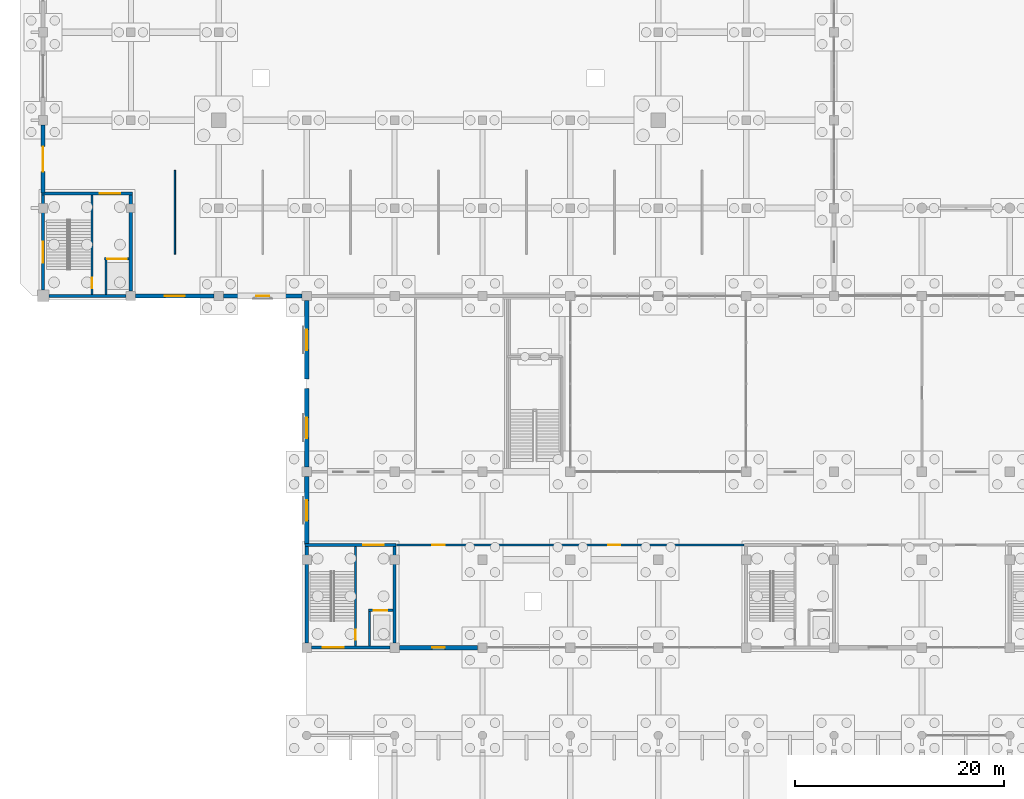
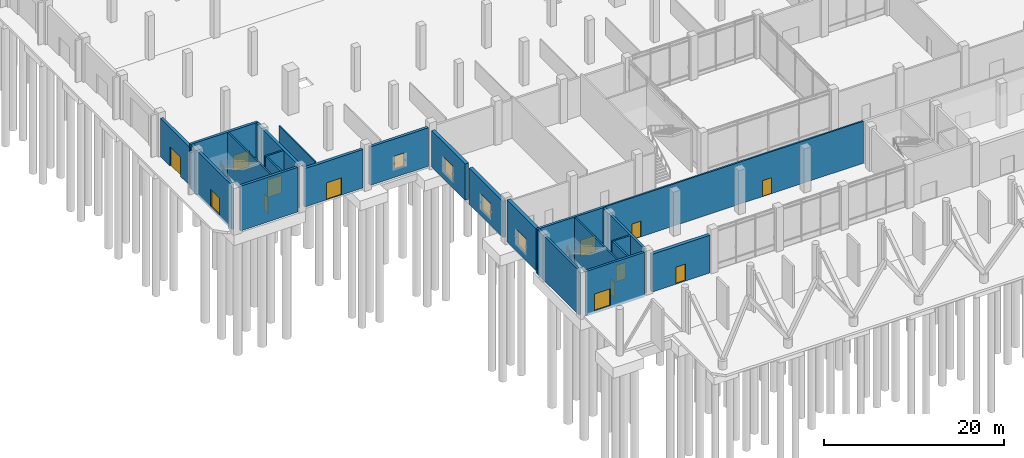
# One storey, part 51 of 72: 23 walls, 13 doors, 4 windows, 17 openings.
"""IFC4 building model written with IfcOpenShell, lengths in metres."""

from ifc_helpers import new_model, si_unit, direction, frame, frame_2d, origin, place, context, subcontext, project, spatial, rectangle, extrude, material, layer, layer_set, type_object, element, fill, save


model = new_model("IFC4")

# Units and contexts
model_context = context("Model", 3, precision=1e-05, world=origin(), true_north=direction((0.0, 1.0)))
body_context = subcontext(model_context, "Body", "Model", "MODEL_VIEW")
ifc_project = project(units=[si_unit("LENGTHUNIT", "METRE"), si_unit("AREAUNIT", "SQUARE_METRE"), si_unit("VOLUMEUNIT", "CUBIC_METRE"), si_unit("PLANEANGLEUNIT", "RADIAN"), si_unit("MASSUNIT", "GRAM", prefix="KILO")], contexts=[model_context])

# Site, building, storey
site_placement = place(None, origin())
site = spatial("IfcSite", under=ifc_project, at=site_placement, CompositionType="ELEMENT")
building_placement = place(site_placement, origin())
building = spatial("IfcBuilding", under=site, at=building_placement, Name="Qawsi Khor Wholesale Market", CompositionType="ELEMENT")
storey_placement = place(building_placement, origin())
storey = spatial("IfcBuildingStorey", under=building, at=storey_placement, Name="L00", CompositionType="ELEMENT", Elevation=0.0)

# Wall, opening, door
ifc_material_1 = material(Name="Concrete C40/50", Category="concrete")
ifc_layer_1 = layer(ifc_material_1, 0.300048828125, Name="Concrete C40/50")
ifc_layer_set_1 = layer_set([ifc_layer_1], Name="Concrete C40/50")
wall_type_1 = type_object("IfcWallType", Name="Core Shear Wall RC 300 C40/50", PredefinedType="SHEAR", material=ifc_layer_set_1)
wall_1_placement = place(storey_placement, frame((33.14501953125, 8.39990234375, -0.360107421875), z_axis=(0.0, 0.0, 1.0), x_axis=(-1.0, 0.0, 0.0)))
wall_1 = element("IfcWall", 1, at=wall_1_placement, inside=storey, type_object=wall_type_1, Name="Core C01 south shear wall L00", PredefinedType="SHEAR", context=body_context, shape_type="SweptSolid", body=[
    extrude(rectangle(XDim=7.489990234375, YDim=0.300048828125, at=frame_2d((3.7451171875, 0.0))), origin(), (0.0, 0.0, 1.0), 6.080078125),
])
opening_1_placement = place(wall_1_placement, frame((4.39501953125, 0.0, 0.360107421875)))
opening_1 = element("IfcOpeningElement", 2, at=opening_1_placement, cuts=wall_1, Name="Opening ED-06", PredefinedType="OPENING", context=body_context, shape_type="SweptSolid", body=[
    extrude(rectangle(XDim=2.0, YDim=2.280029296875, at=frame_2d((1.0, 1.14013671875))), frame((0.0, 0.159912109375, 0.0), z_axis=(0.0, -1.0, 0.0), x_axis=(1.0, 0.0, 0.0)), (0.0, 0.0, 1.0), 0.320068359375),
])
ifc_material_2 = material(Name="Powder-Coated Galvanised Steel & Glazing", Category="steel")
door_type_1 = type_object("IfcDoorType", Name="Final Exit Stair Discharge Door 2000x2280 FD120S", OperationType="NOTDEFINED", PredefinedType="DOOR", material=ifc_material_2)
door_1_placement = place(opening_1_placement, origin())
door_1 = element("IfcDoor", 3, at=door_1_placement, inside=storey, type_object=door_type_1, Name="Final exit stair discharge door ST-01", OperationType="DOUBLE_DOOR_SINGLE_SWING", OverallHeight=2.280029296875, OverallWidth=2.0, PredefinedType="DOOR", context=body_context, shape_type="SweptSolid", body=[
    extrude(rectangle(XDim=2.0, YDim=2.280029296875, at=frame_2d((1.0, 1.14013671875))), frame((0.0, 0.02490234375, 0.0), z_axis=(0.0, -1.0, 0.0), x_axis=(1.0, 0.0, 0.0)), (0.0, 0.0, 1.0), 0.050048828125),
])
fill(opening_1, door_1)

# Wall
wall_2_placement = place(storey_placement, frame((25.199951171875, 8.85498046875, -0.360107421875), z_axis=(0.0, 0.0, 1.0), x_axis=(0.0, 1.0, 0.0)))
element("IfcWall", 4, at=wall_2_placement, inside=storey, type_object=wall_type_1, Name="Core C01 west shear wall L00", PredefinedType="SHEAR", context=body_context, shape_type="SweptSolid", body=[
    extrude(rectangle(XDim=9.195068359375, YDim=0.300048828125, at=frame_2d((4.59765625, 0.0))), origin(), (0.0, 0.0, 1.0), 6.080078125),
])

# Wall, opening, door
wall_3_placement = place(storey_placement, frame((25.050048828125, 18.199951171875, -0.360107421875), z_axis=(0.0, 0.0, 1.0), x_axis=(1.0, 0.0, 0.0)))
wall_3 = element("IfcWall", 5, at=wall_3_placement, inside=storey, type_object=wall_type_1, Name="Core C01 north shear wall L00", PredefinedType="SHEAR", context=body_context, shape_type="SweptSolid", body=[
    extrude(rectangle(XDim=8.699951171875, YDim=0.300048828125, at=frame_2d((4.35009765625, 0.0))), origin(), (0.0, 0.0, 1.0), 6.080078125),
])
opening_2_placement = place(wall_3_placement, frame((5.570068359375, 0.0, 0.360107421875)))
opening_2 = element("IfcOpeningElement", 6, at=opening_2_placement, cuts=wall_3, Name="Opening ID-01", PredefinedType="OPENING", context=body_context, shape_type="SweptSolid", body=[
    extrude(rectangle(XDim=1.9599609375, YDim=2.199951171875, at=frame_2d((0.97998046875, 1.10009765625))), frame((0.0, 0.159912109375, 0.0), z_axis=(0.0, -1.0, 0.0), x_axis=(1.0, 0.0, 0.0)), (0.0, 0.0, 1.0), 0.320068359375),
])
ifc_material_3 = material(Name="Steel Fire Door", Category="steel")
door_type_2 = type_object("IfcDoorType", Name="Stair & Core Fire Door 1960x2200 FD90S", OperationType="NOTDEFINED", PredefinedType="DOOR", material=ifc_material_3)
door_2_placement = place(opening_2_placement, origin())
door_2 = element("IfcDoor", 7, at=door_2_placement, inside=storey, type_object=door_type_2, Name="Core C01 fire door L00", OperationType="DOUBLE_DOOR_SINGLE_SWING", OverallHeight=2.199951171875, OverallWidth=1.9599609375, PredefinedType="DOOR", context=body_context, shape_type="SweptSolid", body=[
    extrude(rectangle(XDim=1.9599609375, YDim=2.199951171875, at=frame_2d((0.97998046875, 1.10009765625))), frame((0.0, 0.02490234375, 0.0), z_axis=(0.0, -1.0, 0.0), x_axis=(1.0, 0.0, 0.0)), (0.0, 0.0, 1.0), 0.050048828125),
])
fill(opening_2, door_2)

# Wall
wall_4_placement = place(storey_placement, frame((33.60009765625, 18.050048828125, -0.360107421875), z_axis=(0.0, 0.0, 1.0), x_axis=(0.0, -1.0, 0.0)))
element("IfcWall", 8, at=wall_4_placement, inside=storey, type_object=wall_type_1, Name="Core C01 east shear wall L00", PredefinedType="SHEAR", context=body_context, shape_type="SweptSolid", body=[
    extrude(rectangle(XDim=9.195068359375, YDim=0.300048828125, at=frame_2d((4.59765625, 0.0))), origin(), (0.0, 0.0, 1.0), 6.080078125),
])

# Wall, openings, doors
ifc_material_4 = material(Name="Gypsum Fireboard on Steel Stud", Category="steel")
ifc_layer_2 = layer(ifc_material_4, 0.2099609375, Name="Gypsum Fireboard on Steel Stud")
ifc_layer_set_2 = layer_set([ifc_layer_2], Name="Gypsum Fireboard on Steel Stud")
wall_type_2 = type_object("IfcWallType", Name="Corridor Fire Partition Wall 210", PredefinedType="PARTITIONING", material=ifc_layer_set_2)
wall_5_placement = place(storey_placement, frame((33.800048828125, 18.199951171875, 0.0), z_axis=(0.0, 0.0, 1.0), x_axis=(1.0, 0.0, 0.0)))
wall_5 = element("IfcWall", 9, at=wall_5_placement, inside=storey, type_object=wall_type_2, Name="PW-L00-029", PredefinedType="PARTITIONING", context=body_context, shape_type="SweptSolid", body=[
    extrude(rectangle(XDim=33.199951171875, YDim=0.2099609375, at=frame_2d((16.60009765625, 0.0))), origin(), (0.0, 0.0, 1.0), 5.719970703125),
])
opening_3_placement = place(wall_5_placement, frame((3.409912109375, 0.0, 0.0)))
opening_3 = element("IfcOpeningElement", 10, at=opening_3_placement, cuts=wall_5, Name="Opening ID-15", PredefinedType="OPENING", context=body_context, shape_type="SweptSolid", body=[
    extrude(rectangle(XDim=1.179931640625, YDim=2.159912109375, at=frame_2d((0.58984375, 1.080078125))), frame((0.0, 0.114990234375, 0.0), z_axis=(0.0, -1.0, 0.0), x_axis=(1.0, 0.0, 0.0)), (0.0, 0.0, 1.0), 0.22998046875),
])
opening_4_placement = place(wall_5_placement, frame((20.2099609375, 0.0, 0.0)))
opening_4 = element("IfcOpeningElement", 11, at=opening_4_placement, cuts=wall_5, Name="Opening ID-15", PredefinedType="OPENING", context=body_context, shape_type="SweptSolid", body=[
    extrude(rectangle(XDim=1.179931640625, YDim=2.159912109375, at=frame_2d((0.58984375, 1.080078125))), frame((0.0, 0.114990234375, 0.0), z_axis=(0.0, -1.0, 0.0), x_axis=(1.0, 0.0, 0.0)), (0.0, 0.0, 1.0), 0.22998046875),
])
ifc_material_5 = material(Name="Glazed Anodised Aluminium", Category="aluminium")
door_type_3 = type_object("IfcDoorType", Name="Market Shop Internal Door 1180x2160", OperationType="NOTDEFINED", PredefinedType="DOOR", material=ifc_material_5)
door_3_placement = place(opening_3_placement, origin())
door_3 = element("IfcDoor", 12, at=door_3_placement, inside=storey, type_object=door_type_3, Name="Market Shop Internal Door 1180x2160 L00-024", OperationType="SINGLE_SWING_LEFT", OverallHeight=2.159912109375, OverallWidth=1.179931640625, PredefinedType="DOOR", context=body_context, shape_type="SweptSolid", body=[
    extrude(rectangle(XDim=1.179931640625, YDim=2.159912109375, at=frame_2d((0.58984375, 1.080078125))), frame((0.0, 0.02490234375, 0.0), z_axis=(0.0, -1.0, 0.0), x_axis=(1.0, 0.0, 0.0)), (0.0, 0.0, 1.0), 0.050048828125),
])
fill(opening_3, door_3)
door_4_placement = place(opening_4_placement, origin())
door_4 = element("IfcDoor", 13, at=door_4_placement, inside=storey, type_object=door_type_3, Name="Market Shop Internal Door 1180x2160 L00-025", OperationType="SINGLE_SWING_RIGHT", OverallHeight=2.159912109375, OverallWidth=1.179931640625, PredefinedType="DOOR", context=body_context, shape_type="SweptSolid", body=[
    extrude(rectangle(XDim=1.179931640625, YDim=2.159912109375, at=frame_2d((0.58984375, 1.080078125))), frame((0.0, 0.02490234375, 0.0), z_axis=(0.0, -1.0, 0.0), x_axis=(1.0, 0.0, 0.0)), (0.0, 0.0, 1.0), 0.050048828125),
])
fill(opening_4, door_4)

# Wall
ifc_layer_3 = layer(ifc_material_1, 0.320068359375, Name="Concrete C40/50")
ifc_layer_set_3 = layer_set([ifc_layer_3], Name="Concrete C40/50")
wall_type_3 = type_object("IfcWallType", Name="Hall Lateral Shear Wall RC 320 C40/50", PredefinedType="SHEAR", material=ifc_layer_set_3)
wall_6_placement = place(storey_placement, frame((7.945068359375, 42.0, -0.360107421875), z_axis=(0.0, 0.0, 1.0), x_axis=(-1.0, 0.0, 0.0)))
element("IfcWall", 14, at=wall_6_placement, inside=storey, type_object=wall_type_3, Name="Core C07 south shear wall L00", PredefinedType="SHEAR", context=body_context, shape_type="SweptSolid", body=[
    extrude(rectangle(XDim=7.39013671875, YDim=0.320068359375, at=frame_2d((3.695068359375, 0.0))), origin(), (0.0, 0.0, 1.0), 6.080078125),
])

# Wall, opening, door
wall_7_placement = place(storey_placement, frame((0.0, 42.554931640625, -0.360107421875), z_axis=(0.0, 0.0, 1.0), x_axis=(0.0, 1.0, 0.0)))
wall_7 = element("IfcWall", 15, at=wall_7_placement, inside=storey, type_object=wall_type_3, Name="Core C07 west shear wall L00", PredefinedType="SHEAR", context=body_context, shape_type="SweptSolid", body=[
    extrude(rectangle(XDim=9.0849609375, YDim=0.320068359375, at=frame_2d((4.54248046875, 0.0))), origin(), (0.0, 0.0, 1.0), 6.080078125),
])
opening_5_placement = place(wall_7_placement, frame((2.64501953125, 0.0, 0.360107421875)))
opening_5 = element("IfcOpeningElement", 16, at=opening_5_placement, cuts=wall_7, Name="Opening ED-06", PredefinedType="OPENING", context=body_context, shape_type="SweptSolid", body=[
    extrude(rectangle(XDim=2.0, YDim=2.280029296875, at=frame_2d((1.0, 1.14013671875))), frame((0.0, 0.169921875, 0.0), z_axis=(0.0, -1.0, 0.0), x_axis=(1.0, 0.0, 0.0)), (0.0, 0.0, 1.0), 0.340087890625),
])
door_5_placement = place(opening_5_placement, origin())
door_5 = element("IfcDoor", 17, at=door_5_placement, inside=storey, type_object=door_type_1, Name="Final exit stair discharge door ST-07", OperationType="DOUBLE_DOOR_SINGLE_SWING", OverallHeight=2.280029296875, OverallWidth=2.0, PredefinedType="DOOR", context=body_context, shape_type="SweptSolid", body=[
    extrude(rectangle(XDim=2.0, YDim=2.280029296875, at=frame_2d((1.0, 1.14013671875))), frame((0.0, 0.02490234375, 0.0), z_axis=(0.0, -1.0, 0.0), x_axis=(1.0, 0.0, 0.0)), (0.0, 0.0, 1.0), 0.050048828125),
])
fill(opening_5, door_5)

wall_8_placement = place(storey_placement, frame((-0.159912109375, 51.800048828125, -0.360107421875), z_axis=(0.0, 0.0, 1.0), x_axis=(1.0, 0.0, 0.0)))
wall_8 = element("IfcWall", 18, at=wall_8_placement, inside=storey, type_object=wall_type_3, Name="Core C07 north shear wall L00", PredefinedType="SHEAR", context=body_context, shape_type="SweptSolid", body=[
    extrude(rectangle(XDim=8.719970703125, YDim=0.320068359375, at=frame_2d((4.35986328125, 0.0))), origin(), (0.0, 0.0, 1.0), 6.080078125),
])
opening_6_placement = place(wall_8_placement, frame((5.580078125, 0.0, 0.360107421875)))
opening_6 = element("IfcOpeningElement", 19, at=opening_6_placement, cuts=wall_8, Name="Opening ID-01", PredefinedType="OPENING", context=body_context, shape_type="SweptSolid", body=[
    extrude(rectangle(XDim=1.9599609375, YDim=2.199951171875, at=frame_2d((0.97998046875, 1.10009765625))), frame((0.0, 0.169921875, 0.0), z_axis=(0.0, -1.0, 0.0), x_axis=(1.0, 0.0, 0.0)), (0.0, 0.0, 1.0), 0.340087890625),
])
door_6_placement = place(opening_6_placement, origin())
door_6 = element("IfcDoor", 20, at=door_6_placement, inside=storey, type_object=door_type_2, Name="Core C07 fire door L00", OperationType="DOUBLE_DOOR_SINGLE_SWING", OverallHeight=2.199951171875, OverallWidth=1.9599609375, PredefinedType="DOOR", context=body_context, shape_type="SweptSolid", body=[
    extrude(rectangle(XDim=1.9599609375, YDim=2.199951171875, at=frame_2d((0.97998046875, 1.10009765625))), frame((0.0, 0.02490234375, 0.0), z_axis=(0.0, -1.0, 0.0), x_axis=(1.0, 0.0, 0.0)), (0.0, 0.0, 1.0), 0.050048828125),
])
fill(opening_6, door_6)

# Walls
wall_9_placement = place(storey_placement, frame((8.39990234375, 51.639892578125, -0.360107421875), z_axis=(0.0, 0.0, 1.0), x_axis=(0.0, -1.0, 0.0)))
element("IfcWall", 21, at=wall_9_placement, inside=storey, type_object=wall_type_3, Name="Core C07 east shear wall L00", PredefinedType="SHEAR", context=body_context, shape_type="SweptSolid", body=[
    extrude(rectangle(XDim=9.184814453125, YDim=0.320068359375, at=frame_2d((4.59228515625, 0.0))), origin(), (0.0, 0.0, 1.0), 6.080078125),
])
ifc_layer_4 = layer(ifc_material_1, 0.219970703125, Name="Concrete C40/50")
ifc_layer_set_4 = layer_set([ifc_layer_4], Name="Concrete C40/50")
wall_type_4 = type_object("IfcWallType", Name="Lift & Stair Shaft Wall RC 220", PredefinedType="SOLIDWALL", material=ifc_layer_set_4)
wall_10_placement = place(storey_placement, frame((31.2099609375, 8.56005859375, 0.0), z_axis=(0.0, 0.0, 1.0), x_axis=(0.0, 1.0, 0.0)))
element("IfcWall", 22, at=wall_10_placement, inside=storey, type_object=wall_type_4, Name="Lift FF-01 shaft wall W L00", PredefinedType="SOLIDWALL", context=body_context, shape_type="SweptSolid", body=[
    extrude(rectangle(XDim=3.389892578125, YDim=0.219970703125, at=frame_2d((1.69482421875, 0.0))), origin(), (0.0, 0.0, 1.0), 5.719970703125),
])

# Wall, opening, door
wall_11_placement = place(storey_placement, frame((31.10009765625, 11.949951171875, 0.0), z_axis=(0.0, 0.0, 1.0), x_axis=(1.0, 0.0, 0.0)))
wall_11 = element("IfcWall", 23, at=wall_11_placement, inside=storey, type_object=wall_type_4, Name="Lift FF-01 shaft wall N L00", PredefinedType="SOLIDWALL", context=body_context, shape_type="SweptSolid", body=[
    extrude(rectangle(XDim=2.33984375, YDim=0.219970703125, at=frame_2d((1.169921875, 0.0))), origin(), (0.0, 0.0, 1.0), 5.719970703125),
])
opening_7_placement = place(wall_11_placement, frame((0.530029296875, 0.0, 0.0)))
opening_7 = element("IfcOpeningElement", 24, at=opening_7_placement, cuts=wall_11, Name="Opening LD-FF130", PredefinedType="OPENING", context=body_context, shape_type="SweptSolid", body=[
    extrude(rectangle(XDim=1.280029296875, YDim=2.25, at=frame_2d((0.64013671875, 1.125))), frame((0.0, 0.119873046875, 0.0), z_axis=(0.0, -1.0, 0.0), x_axis=(1.0, 0.0, 0.0)), (0.0, 0.0, 1.0), 0.239990234375),
])
ifc_material_6 = material(Name="Brushed Stainless Steel", Category="steel")
door_type_4 = type_object("IfcDoorType", Name="Firefighting Lift Landing Sliding Door 1280x2250 FD90S", OperationType="NOTDEFINED", PredefinedType="DOOR", material=ifc_material_6)
door_7_placement = place(opening_7_placement, origin())
door_7 = element("IfcDoor", 25, at=door_7_placement, inside=storey, type_object=door_type_4, Name="Lift FF-01 landing door L00", OperationType="SLIDING_TO_LEFT", OverallHeight=2.25, OverallWidth=1.280029296875, PredefinedType="DOOR", context=body_context, shape_type="SweptSolid", body=[
    extrude(rectangle(XDim=1.280029296875, YDim=2.25, at=frame_2d((0.64013671875, 1.125))), frame((0.0, 0.02490234375, 0.0), z_axis=(0.0, -1.0, 0.0), x_axis=(1.0, 0.0, 0.0)), (0.0, 0.0, 1.0), 0.050048828125),
])
fill(opening_7, door_7)

# Wall
wall_12_placement = place(storey_placement, frame((6.010009765625, 42.159912109375, 0.0), z_axis=(0.0, 0.0, 1.0), x_axis=(0.0, 1.0, 0.0)))
element("IfcWall", 26, at=wall_12_placement, inside=storey, type_object=wall_type_4, Name="Lift GL-01 shaft wall W L00", PredefinedType="SOLIDWALL", context=body_context, shape_type="SweptSolid", body=[
    extrude(rectangle(XDim=3.39013671875, YDim=0.219970703125, at=frame_2d((1.695068359375, 0.0))), origin(), (0.0, 0.0, 1.0), 5.719970703125),
])

# Wall, opening, door
wall_13_placement = place(storey_placement, frame((5.89990234375, 45.550048828125, 0.0), z_axis=(0.0, 0.0, 1.0), x_axis=(1.0, 0.0, 0.0)))
wall_13 = element("IfcWall", 27, at=wall_13_placement, inside=storey, type_object=wall_type_4, Name="Lift GL-01 shaft wall N L00", PredefinedType="SOLIDWALL", context=body_context, shape_type="SweptSolid", body=[
    extrude(rectangle(XDim=2.340087890625, YDim=0.219970703125, at=frame_2d((1.169921875, 0.0))), origin(), (0.0, 0.0, 1.0), 5.719970703125),
])
opening_8_placement = place(wall_13_placement, frame((0.260009765625, 0.0, 0.0)))
opening_8 = element("IfcOpeningElement", 28, at=opening_8_placement, cuts=wall_13, Name="Opening LD-G180", PredefinedType="OPENING", context=body_context, shape_type="SweptSolid", body=[
    extrude(rectangle(XDim=1.820068359375, YDim=2.39990234375, at=frame_2d((0.91015625, 1.199951171875))), frame((0.0, 0.119873046875, 0.0), z_axis=(0.0, -1.0, 0.0), x_axis=(1.0, 0.0, 0.0)), (0.0, 0.0, 1.0), 0.239990234375),
])
ifc_material_7 = material(Name="Heavy-Duty Stainless Steel", Category="steel")
door_type_5 = type_object("IfcDoorType", Name="Goods Lift Landing Sliding Door 1820x2400 FD90S", OperationType="NOTDEFINED", PredefinedType="DOOR", material=ifc_material_7)
door_8_placement = place(opening_8_placement, origin())
door_8 = element("IfcDoor", 29, at=door_8_placement, inside=storey, type_object=door_type_5, Name="Lift GL-01 landing door L00", OperationType="SLIDING_TO_LEFT", OverallHeight=2.39990234375, OverallWidth=1.820068359375, PredefinedType="DOOR", context=body_context, shape_type="SweptSolid", body=[
    extrude(rectangle(XDim=1.820068359375, YDim=2.39990234375, at=frame_2d((0.91015625, 1.199951171875))), frame((0.0, 0.02490234375, 0.0), z_axis=(0.0, -1.0, 0.0), x_axis=(1.0, 0.0, 0.0)), (0.0, 0.0, 1.0), 0.050048828125),
])
fill(opening_8, door_8)

# Wall
ifc_material_8 = material(Name="Precast Terrazzo Concrete C40/50", Category="concrete")
ifc_layer_5 = layer(ifc_material_8, 0.135009765625, Name="Precast Terrazzo Concrete C40/50")
ifc_layer_set_5 = layer_set([ifc_layer_5], Name="Precast Terrazzo Concrete C40/50")
wall_type_5 = type_object("IfcWallType", Name="Market Stall Low Divider Wall 135", PredefinedType="PARTITIONING", material=ifc_layer_set_5)
wall_14_placement = place(storey_placement, frame((12.60009765625, 46.0, 0.0), z_axis=(0.0, 0.0, 1.0), x_axis=(0.0, 1.0, 0.0)))
element("IfcWall", 30, at=wall_14_placement, inside=storey, type_object=wall_type_5, Name="PW-L00-009", PredefinedType="PARTITIONING", context=body_context, shape_type="SweptSolid", body=[
    extrude(rectangle(XDim=8.0, YDim=0.135009765625, at=frame_2d((4.0, 0.0))), origin(), (0.0, 0.0, 1.0), 2.39990234375),
])

# Wall, opening, door
ifc_layer_6 = layer(ifc_material_1, 0.429931640625, Name="Concrete C40/50")
ifc_layer_set_6 = layer_set([ifc_layer_6], Name="Concrete C40/50")
wall_type_6 = type_object("IfcWallType", Name="Sculpted Ribbed Concrete Facade Wall 430", PredefinedType="SOLIDWALL", material=ifc_layer_set_6)
wall_15_placement = place(storey_placement, frame((41.544921875, 8.39990234375, 0.0), z_axis=(0.0, 0.0, 1.0), x_axis=(-1.0, 0.0, 0.0)))
wall_15 = element("IfcWall", 31, at=wall_15_placement, inside=storey, type_object=wall_type_6, Name="EW-L00-SHP-04", PredefinedType="SOLIDWALL", context=body_context, shape_type="SweptSolid", body=[
    extrude(rectangle(XDim=7.489990234375, YDim=0.429931640625, at=frame_2d((3.7451171875, 0.0))), origin(), (0.0, 0.0, 1.0), 5.1298828125),
])
opening_9_placement = place(wall_15_placement, frame((3.135009765625, 0.0, 0.0)))
opening_9 = element("IfcOpeningElement", 32, at=opening_9_placement, cuts=wall_15, Name="Opening ED-03", PredefinedType="OPENING", context=body_context, shape_type="SweptSolid", body=[
    extrude(rectangle(XDim=1.219970703125, YDim=2.320068359375, at=frame_2d((0.60986328125, 1.16015625))), frame((0.0, 0.224853515625, 0.0), z_axis=(0.0, -1.0, 0.0), x_axis=(1.0, 0.0, 0.0)), (0.0, 0.0, 1.0), 0.449951171875),
])
door_type_6 = type_object("IfcDoorType", Name="Market Shop Street Entrance Door 1220x2320", OperationType="NOTDEFINED", PredefinedType="DOOR", material=ifc_material_2)
door_9_placement = place(opening_9_placement, origin())
door_9 = element("IfcDoor", 33, at=door_9_placement, inside=storey, type_object=door_type_6, Name="Market Shop Street Entrance", OperationType="SINGLE_SWING_LEFT", OverallHeight=2.320068359375, OverallWidth=1.219970703125, PredefinedType="DOOR", context=body_context, shape_type="SweptSolid", body=[
    extrude(rectangle(XDim=1.219970703125, YDim=2.320068359375, at=frame_2d((0.60986328125, 1.16015625))), frame((0.0, 0.02490234375, 0.0), z_axis=(0.0, -1.0, 0.0), x_axis=(1.0, 0.0, 0.0)), (0.0, 0.0, 1.0), 0.050048828125),
])
fill(opening_9, door_9)

# Wall, opening, window
wall_16_placement = place(storey_placement, frame((25.199951171875, 18.25, 0.0), z_axis=(0.0, 0.0, 1.0), x_axis=(0.0, 1.0, 0.0)))
wall_16 = element("IfcWall", 34, at=wall_16_placement, inside=storey, type_object=wall_type_6, Name="EW-L00-SWW-2", PredefinedType="SOLIDWALL", context=body_context, shape_type="SweptSolid", body=[
    extrude(rectangle(XDim=6.4951171875, YDim=0.429931640625, at=frame_2d((3.24755859375, 0.0))), origin(), (0.0, 0.0, 1.0), 5.719970703125),
])
opening_10_placement = place(wall_16_placement, frame((2.27490234375, 0.0, 0.949951171875)))
opening_10 = element("IfcOpeningElement", 35, at=opening_10_placement, cuts=wall_16, Name="Opening W-20", PredefinedType="OPENING", context=body_context, shape_type="SweptSolid", body=[
    extrude(rectangle(XDim=1.949951171875, YDim=2.050048828125, at=frame_2d((0.97509765625, 1.02490234375))), frame((0.0, 0.224853515625, 0.0), z_axis=(0.0, -1.0, 0.0), x_axis=(1.0, 0.0, 0.0)), (0.0, 0.0, 1.0), 0.449951171875),
])
ifc_material_9 = material(Name="Thermally Broken Aluminium & Low-E Glass", Category="aluminium")
window_type_1 = type_object("IfcWindowType", Name="Win W-20 Governance Corner 1950x2050", PartitioningType="SINGLE_PANEL", PredefinedType="WINDOW", material=ifc_material_9)
window_1_placement = place(opening_10_placement, origin())
window_1 = element("IfcWindow", 36, at=window_1_placement, inside=storey, type_object=window_type_1, Name="Win W-20 Governance Corner 1950x2050 105", OverallHeight=2.050048828125, OverallWidth=1.949951171875, PartitioningType="SINGLE_PANEL", PredefinedType="WINDOW", context=body_context, shape_type="SweptSolid", body=[
    extrude(rectangle(XDim=1.949951171875, YDim=2.050048828125, at=frame_2d((0.97509765625, 1.02490234375))), frame((0.0, 0.030029296875, 0.0), z_axis=(0.0, -1.0, 0.0), x_axis=(1.0, 0.0, 0.0)), (0.0, 0.0, 1.0), 0.06005859375),
])
fill(opening_10, window_1)

wall_17_placement = place(storey_placement, frame((25.199951171875, 25.655029296875, 0.0), z_axis=(0.0, 0.0, 1.0), x_axis=(0.0, 1.0, 0.0)))
wall_17 = element("IfcWall", 37, at=wall_17_placement, inside=storey, type_object=wall_type_6, Name="EW-L00-SWW-3", PredefinedType="SOLIDWALL", context=body_context, shape_type="SweptSolid", body=[
    extrude(rectangle(XDim=7.494873046875, YDim=0.429931640625, at=frame_2d((3.74755859375, 0.0))), origin(), (0.0, 0.0, 1.0), 4.929931640625),
])
opening_11_placement = place(wall_17_placement, frame((2.77001953125, 0.0, 0.949951171875)))
opening_11 = element("IfcOpeningElement", 38, at=opening_11_placement, cuts=wall_17, Name="Opening W-20", PredefinedType="OPENING", context=body_context, shape_type="SweptSolid", body=[
    extrude(rectangle(XDim=1.949951171875, YDim=2.050048828125, at=frame_2d((0.97509765625, 1.02490234375))), frame((0.0, 0.224853515625, 0.0), z_axis=(0.0, -1.0, 0.0), x_axis=(1.0, 0.0, 0.0)), (0.0, 0.0, 1.0), 0.449951171875),
])
window_2_placement = place(opening_11_placement, origin())
window_2 = element("IfcWindow", 39, at=window_2_placement, inside=storey, type_object=window_type_1, Name="Win W-20 Governance Corner 1950x2050 106", OverallHeight=2.050048828125, OverallWidth=1.949951171875, PartitioningType="SINGLE_PANEL", PredefinedType="WINDOW", context=body_context, shape_type="SweptSolid", body=[
    extrude(rectangle(XDim=1.949951171875, YDim=2.050048828125, at=frame_2d((0.97509765625, 1.02490234375))), frame((0.0, 0.030029296875, 0.0), z_axis=(0.0, -1.0, 0.0), x_axis=(1.0, 0.0, 0.0)), (0.0, 0.0, 1.0), 0.06005859375),
])
fill(opening_11, window_2)

wall_18_placement = place(storey_placement, frame((25.199951171875, 34.050048828125, 0.0), z_axis=(0.0, 0.0, 1.0), x_axis=(0.0, 1.0, 0.0)))
wall_18 = element("IfcWall", 40, at=wall_18_placement, inside=storey, type_object=wall_type_6, Name="EW-L00-SWW-4", PredefinedType="SOLIDWALL", context=body_context, shape_type="SweptSolid", body=[
    extrude(rectangle(XDim=7.494873046875, YDim=0.429931640625, at=frame_2d((3.74755859375, 0.0))), origin(), (0.0, 0.0, 1.0), 4.929931640625),
])
opening_12_placement = place(wall_18_placement, frame((2.77490234375, 0.0, 0.949951171875)))
opening_12 = element("IfcOpeningElement", 41, at=opening_12_placement, cuts=wall_18, Name="Opening W-20", PredefinedType="OPENING", context=body_context, shape_type="SweptSolid", body=[
    extrude(rectangle(XDim=1.949951171875, YDim=2.050048828125, at=frame_2d((0.97509765625, 1.02490234375))), frame((0.0, 0.224853515625, 0.0), z_axis=(0.0, -1.0, 0.0), x_axis=(1.0, 0.0, 0.0)), (0.0, 0.0, 1.0), 0.449951171875),
])
window_3_placement = place(opening_12_placement, origin())
window_3 = element("IfcWindow", 42, at=window_3_placement, inside=storey, type_object=window_type_1, Name="Win W-20 Governance Corner 1950x2050 107", OverallHeight=2.050048828125, OverallWidth=1.949951171875, PartitioningType="SINGLE_PANEL", PredefinedType="WINDOW", context=body_context, shape_type="SweptSolid", body=[
    extrude(rectangle(XDim=1.949951171875, YDim=2.050048828125, at=frame_2d((0.97509765625, 1.02490234375))), frame((0.0, 0.030029296875, 0.0), z_axis=(0.0, -1.0, 0.0), x_axis=(1.0, 0.0, 0.0)), (0.0, 0.0, 1.0), 0.06005859375),
])
fill(opening_12, window_3)

# Wall, opening, door
ifc_layer_7 = layer(ifc_material_1, 0.18994140625, Name="Concrete C40/50")
ifc_layer_set_7 = layer_set([ifc_layer_7], Name="Concrete C40/50")
wall_type_7 = type_object("IfcWallType", Name="Stairwell Enclosure Wall RC 190", PredefinedType="SOLIDWALL", material=ifc_layer_set_7)
wall_19_placement = place(storey_placement, frame((29.8798828125, 8.56005859375, -0.360107421875), z_axis=(0.0, 0.0, 1.0), x_axis=(0.0, 1.0, 0.0)))
wall_19 = element("IfcWall", 43, at=wall_19_placement, inside=storey, type_object=wall_type_7, Name="Core C01 stairwell enclosure wall L00", PredefinedType="SOLIDWALL", context=body_context, shape_type="SweptSolid", body=[
    extrude(rectangle(XDim=9.47998046875, YDim=0.18994140625, at=frame_2d((4.739990234375, 0.0))), origin(), (0.0, 0.0, 1.0), 6.080078125),
])
opening_13_placement = place(wall_19_placement, frame((0.580078125, 0.0, 0.360107421875)))
opening_13 = element("IfcOpeningElement", 44, at=opening_13_placement, cuts=wall_19, Name="Opening ID-17", PredefinedType="OPENING", context=body_context, shape_type="SweptSolid", body=[
    extrude(rectangle(XDim=0.97998046875, YDim=2.14990234375, at=frame_2d((0.489990234375, 1.074951171875))), frame((0.0, 0.10498046875, 0.0), z_axis=(0.0, -1.0, 0.0), x_axis=(1.0, 0.0, 0.0)), (0.0, 0.0, 1.0), 0.2099609375),
])
door_type_7 = type_object("IfcDoorType", Name="Core Stair Lobby Fire Door 980x2150 FD120S", OperationType="NOTDEFINED", PredefinedType="DOOR", material=ifc_material_3)
door_10_placement = place(opening_13_placement, origin())
door_10 = element("IfcDoor", 45, at=door_10_placement, inside=storey, type_object=door_type_7, Name="Core C01 stair enclosure fire door L00", OperationType="SINGLE_SWING_LEFT", OverallHeight=2.14990234375, OverallWidth=0.97998046875, PredefinedType="DOOR", context=body_context, shape_type="SweptSolid", body=[
    extrude(rectangle(XDim=0.97998046875, YDim=2.14990234375, at=frame_2d((0.489990234375, 1.074951171875))), frame((0.0, 0.02490234375, 0.0), z_axis=(0.0, -1.0, 0.0), x_axis=(1.0, 0.0, 0.0)), (0.0, 0.0, 1.0), 0.050048828125),
])
fill(opening_13, door_10)

wall_20_placement = place(storey_placement, frame((4.679931640625, 42.159912109375, -0.360107421875), z_axis=(0.0, 0.0, 1.0), x_axis=(0.0, 1.0, 0.0)))
wall_20 = element("IfcWall", 46, at=wall_20_placement, inside=storey, type_object=wall_type_7, Name="Core C07 stairwell enclosure wall L00", PredefinedType="SOLIDWALL", context=body_context, shape_type="SweptSolid", body=[
    extrude(rectangle(XDim=9.47998046875, YDim=0.18994140625, at=frame_2d((4.739990234375, 0.0))), origin(), (0.0, 0.0, 1.0), 6.080078125),
])
opening_14_placement = place(wall_20_placement, frame((0.580078125, 0.0, 0.360107421875)))
opening_14 = element("IfcOpeningElement", 47, at=opening_14_placement, cuts=wall_20, Name="Opening ID-17", PredefinedType="OPENING", context=body_context, shape_type="SweptSolid", body=[
    extrude(rectangle(XDim=0.97998046875, YDim=2.14990234375, at=frame_2d((0.489990234375, 1.074951171875))), frame((0.0, 0.10498046875, 0.0), z_axis=(0.0, -1.0, 0.0), x_axis=(1.0, 0.0, 0.0)), (0.0, 0.0, 1.0), 0.2099609375),
])
door_11_placement = place(opening_14_placement, origin())
door_11 = element("IfcDoor", 48, at=door_11_placement, inside=storey, type_object=door_type_7, Name="Core C07 stair enclosure fire door L00", OperationType="SINGLE_SWING_LEFT", OverallHeight=2.14990234375, OverallWidth=0.97998046875, PredefinedType="DOOR", context=body_context, shape_type="SweptSolid", body=[
    extrude(rectangle(XDim=0.97998046875, YDim=2.14990234375, at=frame_2d((0.489990234375, 1.074951171875))), frame((0.0, 0.02490234375, 0.0), z_axis=(0.0, -1.0, 0.0), x_axis=(1.0, 0.0, 0.0)), (0.0, 0.0, 1.0), 0.050048828125),
])
fill(opening_14, door_11)

ifc_layer_8 = layer(ifc_material_1, 0.35009765625, Name="Concrete C40/50")
ifc_layer_set_8 = layer_set([ifc_layer_8], Name="Concrete C40/50")
wall_type_8 = type_object("IfcWallType", Name="Trading Hall Precast Concrete Wall 350", PredefinedType="SOLIDWALL", material=ifc_layer_set_8)
wall_21_placement = place(storey_placement, frame((0.0, 51.85009765625, 0.0), z_axis=(0.0, 0.0, 1.0), x_axis=(0.0, 1.0, 0.0)))
wall_21 = element("IfcWall", 49, at=wall_21_placement, inside=storey, type_object=wall_type_8, Name="EW-L00-WHW-06", PredefinedType="SOLIDWALL", context=body_context, shape_type="SweptSolid", body=[
    extrude(rectangle(XDim=6.494873046875, YDim=0.35009765625, at=frame_2d((3.24755859375, 0.0))), origin(), (0.0, 0.0, 1.0), 5.22998046875),
])
opening_15_placement = place(wall_21_placement, frame((2.034912109375, 0.0, 0.0)))
opening_15 = element("IfcOpeningElement", 50, at=opening_15_placement, cuts=wall_21, Name="Opening ED-01", PredefinedType="OPENING", context=body_context, shape_type="SweptSolid", body=[
    extrude(rectangle(XDim=2.39990234375, YDim=2.60009765625, at=frame_2d((1.199951171875, 1.300048828125))), frame((0.0, 0.18505859375, 0.0), z_axis=(0.0, -1.0, 0.0), x_axis=(1.0, 0.0, 0.0)), (0.0, 0.0, 1.0), 0.3701171875),
])
door_type_8 = type_object("IfcDoorType", Name="Main Boulevard Entrance Double Door 2400x2600", OperationType="NOTDEFINED", PredefinedType="DOOR", material=ifc_material_2)
door_12_placement = place(opening_15_placement, origin())
door_12 = element("IfcDoor", 51, at=door_12_placement, inside=storey, type_object=door_type_8, Name="Produce Hall West Exit 6", OperationType="DOUBLE_DOOR_SINGLE_SWING", OverallHeight=2.60009765625, OverallWidth=2.39990234375, PredefinedType="DOOR", context=body_context, shape_type="SweptSolid", body=[
    extrude(rectangle(XDim=2.39990234375, YDim=2.60009765625, at=frame_2d((1.199951171875, 1.300048828125))), frame((0.0, 0.02490234375, 0.0), z_axis=(0.0, -1.0, 0.0), x_axis=(1.0, 0.0, 0.0)), (0.0, 0.0, 1.0), 0.050048828125),
])
fill(opening_15, door_12)

wall_22_placement = place(storey_placement, frame((16.344970703125, 42.0, 0.0), z_axis=(0.0, 0.0, 1.0), x_axis=(-1.0, 0.0, 0.0)))
wall_22 = element("IfcWall", 52, at=wall_22_placement, inside=storey, type_object=wall_type_8, Name="EW-L00-WHS-01", PredefinedType="SOLIDWALL", context=body_context, shape_type="SweptSolid", body=[
    extrude(rectangle(XDim=7.489990234375, YDim=0.35009765625, at=frame_2d((3.7451171875, 0.0))), origin(), (0.0, 0.0, 1.0), 5.22998046875),
])
opening_16_placement = place(wall_22_placement, frame((2.784912109375, 0.0, 0.0)))
opening_16 = element("IfcOpeningElement", 53, at=opening_16_placement, cuts=wall_22, Name="Opening ED-07", PredefinedType="OPENING", context=body_context, shape_type="SweptSolid", body=[
    extrude(rectangle(XDim=1.919921875, YDim=2.320068359375, at=frame_2d((0.9599609375, 1.16015625))), frame((0.0, 0.18505859375, 0.0), z_axis=(0.0, -1.0, 0.0), x_axis=(1.0, 0.0, 0.0)), (0.0, 0.0, 1.0), 0.3701171875),
])
door_type_9 = type_object("IfcDoorType", Name="Hall Ground Personnel Exit Door 1920x2320 FD60S", OperationType="NOTDEFINED", PredefinedType="DOOR", material=ifc_material_2)
door_13_placement = place(opening_16_placement, origin())
door_13 = element("IfcDoor", 54, at=door_13_placement, inside=storey, type_object=door_type_9, Name="West Hall South Exit 1", OperationType="DOUBLE_DOOR_SINGLE_SWING", OverallHeight=2.320068359375, OverallWidth=1.919921875, PredefinedType="DOOR", context=body_context, shape_type="SweptSolid", body=[
    extrude(rectangle(XDim=1.919921875, YDim=2.320068359375, at=frame_2d((0.9599609375, 1.16015625))), frame((0.0, 0.02490234375, 0.0), z_axis=(0.0, -1.0, 0.0), x_axis=(1.0, 0.0, 0.0)), (0.0, 0.0, 1.0), 0.050048828125),
])
fill(opening_16, door_13)

# Wall, opening, window
wall_23_placement = place(storey_placement, frame((24.7451171875, 42.0, 0.0), z_axis=(0.0, 0.0, 1.0), x_axis=(-1.0, 0.0, 0.0)))
wall_23 = element("IfcWall", 55, at=wall_23_placement, inside=storey, type_object=wall_type_8, Name="EW-L00-WHS-02", PredefinedType="SOLIDWALL", context=body_context, shape_type="SweptSolid", body=[
    extrude(rectangle(XDim=7.490234375, YDim=0.35009765625, at=frame_2d((3.7451171875, 0.0))), origin(), (0.0, 0.0, 1.0), 5.22998046875),
])
opening_17_placement = place(wall_23_placement, frame((3.14501953125, 0.0, 1.10009765625)))
opening_17 = element("IfcOpeningElement", 56, at=opening_17_placement, cuts=wall_23, Name="Opening W-01", PredefinedType="OPENING", context=body_context, shape_type="SweptSolid", body=[
    extrude(rectangle(XDim=1.199951171875, YDim=1.800048828125, at=frame_2d((0.60009765625, 0.89990234375))), frame((0.0, 0.18505859375, 0.0), z_axis=(0.0, -1.0, 0.0), x_axis=(1.0, 0.0, 0.0)), (0.0, 0.0, 1.0), 0.3701171875),
])
window_type_2 = type_object("IfcWindowType", Name="Win W-01 Deep-Set Punched 1200x1800", PartitioningType="SINGLE_PANEL", PredefinedType="WINDOW", material=ifc_material_9)
window_4_placement = place(opening_17_placement, origin())
window_4 = element("IfcWindow", 57, at=window_4_placement, inside=storey, type_object=window_type_2, Name="Win W-01 Deep-Set Punched 1200x1800 145", OverallHeight=1.800048828125, OverallWidth=1.199951171875, PartitioningType="SINGLE_PANEL", PredefinedType="WINDOW", context=body_context, shape_type="SweptSolid", body=[
    extrude(rectangle(XDim=1.199951171875, YDim=1.800048828125, at=frame_2d((0.60009765625, 0.89990234375))), frame((0.0, 0.030029296875, 0.0), z_axis=(0.0, -1.0, 0.0), x_axis=(1.0, 0.0, 0.0)), (0.0, 0.0, 1.0), 0.06005859375),
])
fill(opening_17, window_4)

save(model, "model.ifc")
